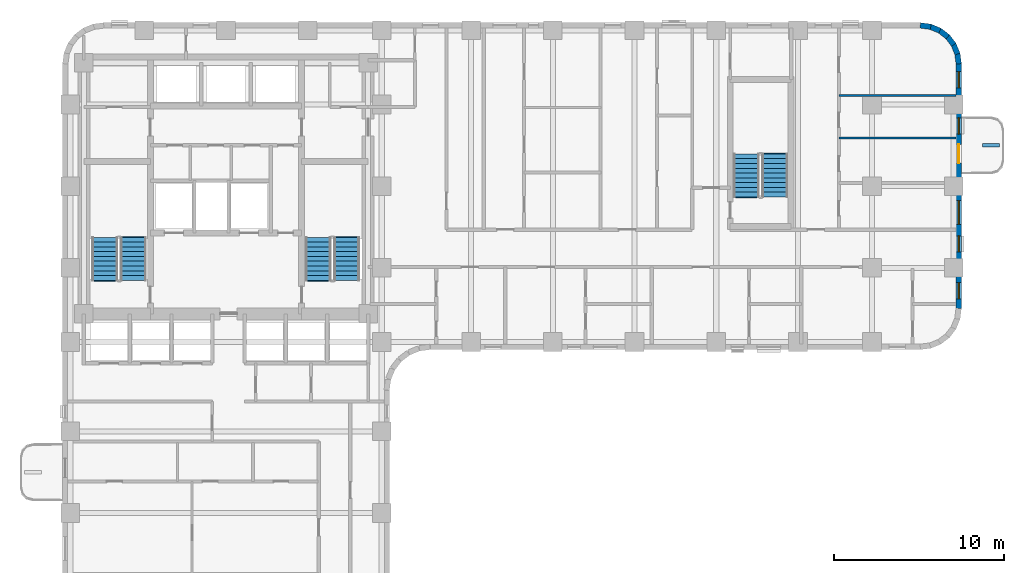
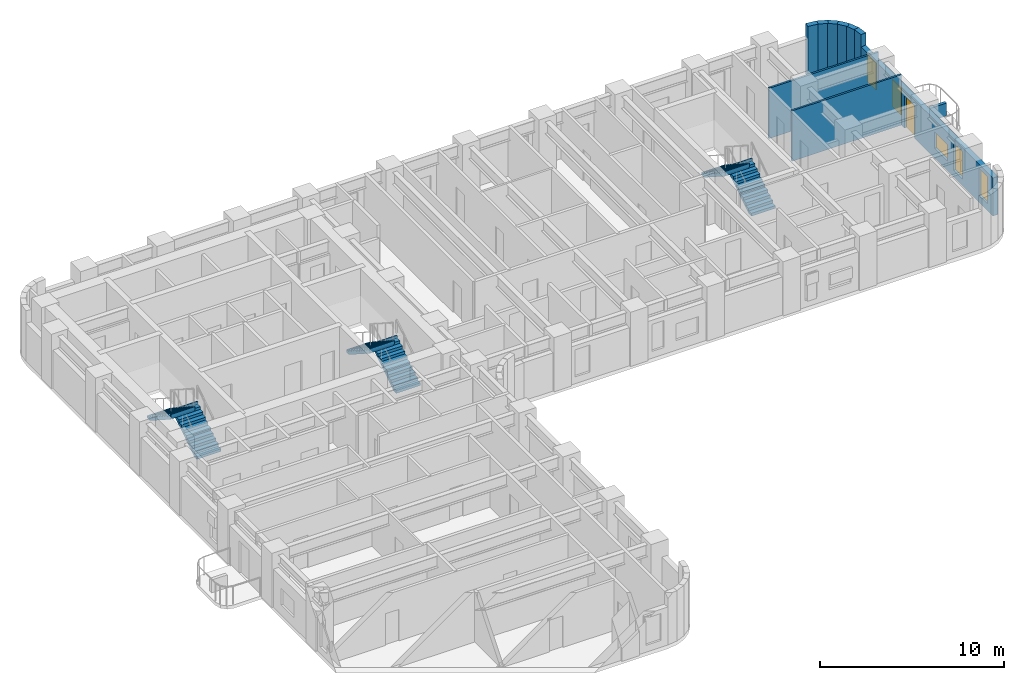
# One storey, part 8 of 11: 10 walls, 6 stair flights, 5 windows, 1 door, 6 openings, 3 elements without a shape of their own.
"""IFC4 building model written with IfcOpenShell, lengths in metres."""

from ifc_helpers import new_model, si_unit, direction, frame, frame_2d, origin, place, context, subcontext, project, spatial, polyline, rectangle, outline, extrude, material, layer, layer_set, type_object, element, fill, aggregate, save


model = new_model("IFC4")

# Units and contexts
model_context = context("Model", 3, precision=1e-05, world=origin(), true_north=direction((0.0, 1.0)))
body_context = subcontext(model_context, "Body", "Model", "MODEL_VIEW")
ifc_project = project(units=[si_unit("LENGTHUNIT", "METRE"), si_unit("AREAUNIT", "SQUARE_METRE"), si_unit("VOLUMEUNIT", "CUBIC_METRE"), si_unit("PLANEANGLEUNIT", "RADIAN"), si_unit("MASSUNIT", "GRAM", prefix="KILO")], contexts=[model_context])

# Site, building, storey
site_placement = place(None, origin())
site = spatial("IfcSite", under=ifc_project, at=site_placement, CompositionType="ELEMENT")
building_placement = place(site_placement, origin())
building = spatial("IfcBuilding", under=site, at=building_placement, Name="Orvandelia Arch Residences", CompositionType="ELEMENT")
storey_placement = place(building_placement, frame((0.0, 0.0, 79.0)))
storey = spatial("IfcBuildingStorey", under=building, at=storey_placement, Name="L20", CompositionType="ELEMENT", Elevation=79.0)

# Walls
ifc_material_1 = material(Name="Precast concrete C40/50", Category="concrete")
ifc_layer_1 = layer(ifc_material_1, 0.320068359375, Name="Precast concrete C40/50", Category="concrete")
ifc_layer_set_1 = layer_set([ifc_layer_1], Name="Precast concrete C40/50")
wall_type_1 = type_object("IfcWallType", Name="WL-EXT-STONE-320", PredefinedType="STANDARD", material=ifc_layer_set_1)
for number, where, z_axis, x_axis, name in (
    (1, (55.17919921875, 47.84130859375, 0.0), (0.0, 0.0, 1.0), (0.9914410257, -0.130555323746, 0.0), "Coral-Limestone Precast Facade Wall L20-008"),
    (2, (55.760009765625, 47.7705078125, 0.0), (0.0, 0.0, 1.0), (0.92389335771, -0.382650053678, 0.0), "Coral-Limestone Precast Facade Wall L20-009"),
):
    element("IfcWall", number, at=place(storey_placement, frame(where, z_axis=z_axis, x_axis=x_axis)), inside=storey, type_object=wall_type_1, Name=name, PredefinedType="STANDARD", context=body_context, shape_type="SweptSolid", body=[
        extrude(rectangle(XDim=0.62646484375, YDim=0.320068359375, at=frame_2d((0.313232421875, 0.0))), origin(), (0.0, 0.0, 1.0), 3.35009765625),
    ])
wall_1_placement = place(storey_placement, frame((56.302490234375, 47.551513671875, 0.0), z_axis=(0.0, 0.0, 1.0), x_axis=(0.793549926411, -0.608505147302, 0.0)))
element("IfcWall", 3, at=wall_1_placement, inside=storey, type_object=wall_type_1, Name="Coral-Limestone Precast Facade Wall L20-010", PredefinedType="STANDARD", context=body_context, shape_type="SweptSolid", body=[
    extrude(rectangle(XDim=0.626708984375, YDim=0.320068359375, at=frame_2d((0.3134765625, 0.0))), origin(), (0.0, 0.0, 1.0), 3.35009765625),
])
for number, where, z_axis, x_axis, name in (
    (4, (56.770263671875, 47.19970703125, 0.0), (0.0, 0.0, 1.0), (0.608693302629, -0.793405610854, 0.0), "Coral-Limestone Precast Facade Wall L20-011"),
    (5, (57.130615234375, 46.73876953125, 0.0), (0.0, 0.0, 1.0), (0.382650053678, -0.92389335771, 0.0), "Coral-Limestone Precast Facade Wall L20-012"),
    (6, (57.359619140625, 46.2001953125, 0.0), (0.0, 0.0, 1.0), (0.130555323746, -0.9914410257, 0.0), "Coral-Limestone Precast Facade Wall L20-013"),
):
    element("IfcWall", number, at=place(storey_placement, frame(where, z_axis=z_axis, x_axis=x_axis)), inside=storey, type_object=wall_type_1, Name=name, PredefinedType="STANDARD", context=body_context, shape_type="SweptSolid", body=[
        extrude(rectangle(XDim=0.62646484375, YDim=0.320068359375, at=frame_2d((0.313232421875, 0.0))), origin(), (0.0, 0.0, 1.0), 3.35009765625),
    ])

# Wall, openings, door, windows
wall_2_placement = place(storey_placement, frame((57.43994140625, 45.60009765625, 0.0), z_axis=(0.0, 0.0, 1.0), x_axis=(0.0, -1.0, 0.0)))
wall_2 = element("IfcWall", 7, at=wall_2_placement, inside=storey, type_object=wall_type_1, Name="Coral-Limestone Precast Facade Wall L20-014", PredefinedType="STANDARD", context=body_context, shape_type="SweptSolid", body=[
    extrude(rectangle(XDim=14.400146484375, YDim=0.320068359375, at=frame_2d((7.2001953125, 0.0))), origin(), (0.0, 0.0, 1.0), 2.530029296875),
])
opening_1_placement = place(wall_2_placement, frame((4.75, 0.0, 0.0)))
opening_1 = element("IfcOpeningElement", 8, at=opening_1_placement, cuts=wall_2, Name="Opening BD1", PredefinedType="OPENING", context=body_context, shape_type="SweptSolid", body=[
    extrude(rectangle(XDim=1.10009765625, YDim=2.14990234375, at=frame_2d((0.550048828125, 1.074951171875))), frame((0.0, 0.169921875, 0.0), z_axis=(0.0, -1.0, 0.0), x_axis=(1.0, 0.0, 0.0)), (0.0, 0.0, 1.0), 0.340087890625),
])
opening_2_placement = place(wall_2_placement, frame((0.469970703125, 0.0, 0.449951171875)))
opening_2 = element("IfcOpeningElement", 9, at=opening_2_placement, cuts=wall_2, Name="Opening W4", PredefinedType="OPENING", context=body_context, shape_type="SweptSolid", body=[
    extrude(rectangle(XDim=0.949951171875, YDim=1.800048828125, at=frame_2d((0.47509765625, 0.89990234375))), frame((0.0, 0.169921875, 0.0), z_axis=(0.0, -1.0, 0.0), x_axis=(1.0, 0.0, 0.0)), (0.0, 0.0, 1.0), 0.340087890625),
])
opening_3_placement = place(wall_2_placement, frame((10.114990234375, 0.0, 0.449951171875)))
opening_3 = element("IfcOpeningElement", 10, at=opening_3_placement, cuts=wall_2, Name="Opening W4", PredefinedType="OPENING", context=body_context, shape_type="SweptSolid", body=[
    extrude(rectangle(XDim=0.949951171875, YDim=1.800048828125, at=frame_2d((0.47509765625, 0.89990234375))), frame((0.0, 0.169921875, 0.0), z_axis=(0.0, -1.0, 0.0), x_axis=(1.0, 0.0, 0.0)), (0.0, 0.0, 1.0), 0.340087890625),
])
opening_4_placement = place(wall_2_placement, frame((12.867431640625, 0.0, 0.449951171875)))
opening_4 = element("IfcOpeningElement", 11, at=opening_4_placement, cuts=wall_2, Name="Opening W4", PredefinedType="OPENING", context=body_context, shape_type="SweptSolid", body=[
    extrude(rectangle(XDim=0.949951171875, YDim=1.800048828125, at=frame_2d((0.47509765625, 0.89990234375))), frame((0.0, 0.169921875, 0.0), z_axis=(0.0, -1.0, 0.0), x_axis=(1.0, 0.0, 0.0)), (0.0, 0.0, 1.0), 0.340087890625),
])
opening_5_placement = place(wall_2_placement, frame((8.050048828125, 0.0, 0.64990234375)))
opening_5 = element("IfcOpeningElement", 12, at=opening_5_placement, cuts=wall_2, Name="Opening W10", PredefinedType="OPENING", context=body_context, shape_type="SweptSolid", body=[
    extrude(rectangle(XDim=1.39990234375, YDim=1.10009765625, at=frame_2d((0.699951171875, 0.550048828125))), frame((0.0, 0.169921875, 0.0), z_axis=(0.0, -1.0, 0.0), x_axis=(1.0, 0.0, 0.0)), (0.0, 0.0, 1.0), 0.340087890625),
])
opening_6_placement = place(wall_2_placement, frame((3.193603515625, 0.0, 0.449951171875)))
opening_6 = element("IfcOpeningElement", 13, at=opening_6_placement, cuts=wall_2, Name="Opening W4", PredefinedType="OPENING", context=body_context, shape_type="SweptSolid", body=[
    extrude(rectangle(XDim=0.949951171875, YDim=1.800048828125, at=frame_2d((0.47509765625, 0.89990234375))), frame((0.0, 0.169921875, 0.0), z_axis=(0.0, -1.0, 0.0), x_axis=(1.0, 0.0, 0.0)), (0.0, 0.0, 1.0), 0.340087890625),
])
ifc_material_2 = material(Name="Thermally Broken Aluminium Glazed Door", Category="aluminium")
door_type = type_object("IfcDoorType", Name="DR-BAL-GLAZ-1100", OperationType="NOTDEFINED", PredefinedType="DOOR", material=ifc_material_2)
door_placement = place(opening_1_placement, origin())
door = element("IfcDoor", 14, at=door_placement, inside=storey, type_object=door_type, Name="Tree Balcony Glazed Door BAL-L20-E1", OperationType="SINGLE_SWING_LEFT", OverallHeight=2.14990234375, OverallWidth=1.10009765625, PredefinedType="DOOR", context=body_context, shape_type="SweptSolid", body=[
    extrude(rectangle(XDim=1.10009765625, YDim=2.14990234375, at=frame_2d((0.550048828125, 1.074951171875))), frame((0.0, 0.02490234375, 0.0), z_axis=(0.0, -1.0, 0.0), x_axis=(1.0, 0.0, 0.0)), (0.0, 0.0, 1.0), 0.050048828125),
])
fill(opening_1, door)
ifc_material_3 = material(Name="Tempered Low-E Insulated Glazing", Category="glass")
window_type_1 = type_object("IfcWindowType", Name="WIN-CLR-1400x1100", PartitioningType="SINGLE_PANEL", PredefinedType="WINDOW", material=ifc_material_3)
window_1_placement = place(opening_5_placement, origin())
window_1 = element("IfcWindow", 15, at=window_1_placement, inside=storey, type_object=window_type_1, Name="Recessed Punched Window L20-014", OverallHeight=1.10009765625, OverallWidth=1.39990234375, PartitioningType="SINGLE_PANEL", PredefinedType="WINDOW", context=body_context, shape_type="SweptSolid", body=[
    extrude(rectangle(XDim=1.39990234375, YDim=1.10009765625, at=frame_2d((0.699951171875, 0.550048828125))), frame((0.0, 0.030029296875, 0.0), z_axis=(0.0, -1.0, 0.0), x_axis=(1.0, 0.0, 0.0)), (0.0, 0.0, 1.0), 0.06005859375),
])
fill(opening_5, window_1)
window_type_2 = type_object("IfcWindowType", Name="WIN-RES-0950x1800", PartitioningType="SINGLE_PANEL", PredefinedType="WINDOW", material=ifc_material_3)
window_2_placement = place(opening_2_placement, origin())
window_2 = element("IfcWindow", 16, at=window_2_placement, inside=storey, type_object=window_type_2, Name="Recessed Punched Window L20-011", OverallHeight=1.800048828125, OverallWidth=0.949951171875, PartitioningType="SINGLE_PANEL", PredefinedType="WINDOW", context=body_context, shape_type="SweptSolid", body=[
    extrude(rectangle(XDim=0.949951171875, YDim=1.800048828125, at=frame_2d((0.47509765625, 0.89990234375))), frame((0.0, 0.030029296875, 0.0), z_axis=(0.0, -1.0, 0.0), x_axis=(1.0, 0.0, 0.0)), (0.0, 0.0, 1.0), 0.06005859375),
])
fill(opening_2, window_2)
window_3_placement = place(opening_3_placement, origin())
window_3 = element("IfcWindow", 17, at=window_3_placement, inside=storey, type_object=window_type_2, Name="Recessed Punched Window L20-012", OverallHeight=1.800048828125, OverallWidth=0.949951171875, PartitioningType="SINGLE_PANEL", PredefinedType="WINDOW", context=body_context, shape_type="SweptSolid", body=[
    extrude(rectangle(XDim=0.949951171875, YDim=1.800048828125, at=frame_2d((0.47509765625, 0.89990234375))), frame((0.0, 0.030029296875, 0.0), z_axis=(0.0, -1.0, 0.0), x_axis=(1.0, 0.0, 0.0)), (0.0, 0.0, 1.0), 0.06005859375),
])
fill(opening_3, window_3)
window_4_placement = place(opening_4_placement, origin())
window_4 = element("IfcWindow", 18, at=window_4_placement, inside=storey, type_object=window_type_2, Name="Recessed Punched Window L20-013", OverallHeight=1.800048828125, OverallWidth=0.949951171875, PartitioningType="SINGLE_PANEL", PredefinedType="WINDOW", context=body_context, shape_type="SweptSolid", body=[
    extrude(rectangle(XDim=0.949951171875, YDim=1.800048828125, at=frame_2d((0.47509765625, 0.89990234375))), frame((0.0, 0.030029296875, 0.0), z_axis=(0.0, -1.0, 0.0), x_axis=(1.0, 0.0, 0.0)), (0.0, 0.0, 1.0), 0.06005859375),
])
fill(opening_4, window_4)
window_5_placement = place(opening_6_placement, origin())
window_5 = element("IfcWindow", 19, at=window_5_placement, inside=storey, type_object=window_type_2, Name="Recessed Punched Window L20-015", OverallHeight=1.800048828125, OverallWidth=0.949951171875, PartitioningType="SINGLE_PANEL", PredefinedType="WINDOW", context=body_context, shape_type="SweptSolid", body=[
    extrude(rectangle(XDim=0.949951171875, YDim=1.800048828125, at=frame_2d((0.47509765625, 0.89990234375))), frame((0.0, 0.030029296875, 0.0), z_axis=(0.0, -1.0, 0.0), x_axis=(1.0, 0.0, 0.0)), (0.0, 0.0, 1.0), 0.06005859375),
])
fill(opening_6, window_5)

# Walls
ifc_material_4 = material(Name="Lightweight Gypsum Stud Partition")
ifc_layer_2 = layer(ifc_material_4, 0.1201171875, Name="Lightweight Gypsum Stud Partition")
ifc_layer_set_2 = layer_set([ifc_layer_2], Name="Lightweight Gypsum Stud Partition")
wall_type_2 = type_object("IfcWallType", Name="WL-PART-120", PredefinedType="PARTITIONING", material=ifc_layer_set_2)
for number, where, z_axis, x_axis, name in (
    (20, (50.39697265625, 41.23291015625, 0.0), (0.0, 0.0, 1.0), (1.0, 0.0, 0.0), "Interior Partition Wall WL-L20-U10-H1B"),
    (21, (50.39697265625, 43.718994140625, 0.0), (0.0, 0.0, 1.0), (1.0, 0.0, 0.0), "Interior Partition Wall WL-L20-U10-H2"),
):
    element("IfcWall", number, at=place(storey_placement, frame(where, z_axis=z_axis, x_axis=x_axis)), inside=storey, type_object=wall_type_2, Name=name, PredefinedType="PARTITIONING", context=body_context, shape_type="SweptSolid", body=[
        extrude(rectangle(XDim=6.883056640625, YDim=0.1201171875, at=frame_2d((3.44140625, 0.0))), origin(), (0.0, 0.0, 1.0), 3.35009765625),
    ])
ifc_layer_3 = layer(ifc_material_1, 0.199951171875, Name="Precast concrete C40/50", Category="concrete")
ifc_layer_set_3 = layer_set([ifc_layer_3], Name="Precast concrete C40/50")
wall_type_3 = type_object("IfcWallType", Name="WL-PLANTER-200", PredefinedType="MOVABLE", material=ifc_layer_set_3)
wall_3_placement = place(storey_placement, frame((58.85009765625, 40.800048828125, 0.0), z_axis=(0.0, 0.0, 1.0), x_axis=(1.0, 0.0, 0.0)))
element("IfcWall", 22, at=wall_3_placement, inside=storey, type_object=wall_type_3, Name="Balcony Precast Tree Planter BAL-L20-E1", PredefinedType="MOVABLE", context=body_context, shape_type="SweptSolid", body=[
    extrude(rectangle(XDim=1.0, YDim=0.199951171875, at=frame_2d((0.5, 0.0))), origin(), (0.0, 0.0, 1.0), 0.85009765625),
])

# Stair, stair flights
ifc_material_5 = material(Name="Concrete C40/50", Category="concrete")
stair_type = type_object("IfcStairType", Name="STAIR-RC-DOGLEG", PredefinedType="HALF_TURN_STAIR", material=ifc_material_5)
stair_1_placement = place(storey_placement, origin())
stair_1 = element("IfcStair", 23, at=stair_1_placement, inside=storey, type_object=stair_type, Name="L20 Protected Exit Stair ST-1", PredefinedType="HALF_TURN_STAIR")
stair_flight_type = type_object("IfcStairFlightType", Name="STFLT-RC-1520", PredefinedType="STRAIGHT", material=ifc_material_5)
stair_flight_1_placement = place(storey_placement, frame((8.9599609375, 32.8701171875, 0.0), z_axis=(0.0, 0.0, 1.0), x_axis=(0.0, 1.0, 0.0)))
stair_flight_1 = element("IfcStairFlight", 24, at=stair_flight_1_placement, type_object=stair_flight_type, Name="ST-1 flight 1", NumberOfRisers=10, NumberOfTreads=9, PredefinedType="STRAIGHT", RiserHeight=0.18, TreadLength=0.28, context=body_context, shape_type="SweptSolid", body=[
    extrude(outline(polyline([(0.0, 0.0), (0.0, 0.179931640625), (0.280029296875, 0.179931640625), (0.280029296875, 0.360107421875), (0.56005859375, 0.360107421875), (0.56005859375, 0.5400390625), (0.840087890625, 0.5400390625), (0.840087890625, 0.719970703125), (1.1201171875, 0.719970703125), (1.1201171875, 0.89990234375), (1.39990234375, 0.89990234375), (1.39990234375, 1.080078125), (1.679931640625, 1.080078125), (1.679931640625, 1.260009765625), (1.9599609375, 1.260009765625), (1.9599609375, 1.43994140625), (2.239990234375, 1.43994140625), (2.239990234375, 1.6201171875), (2.52001953125, 1.6201171875), (2.52001953125, 1.800048828125), (2.580078125, 1.800048828125), (2.580078125, 1.6201171875), (2.52001953125, 1.44189453125), (0.277099609375, 0.0), (0.0, 0.0)])), frame((0.0, 0.760009765625, 0.0), z_axis=(0.0, -1.0, 0.0), x_axis=(1.0, 0.0, 0.0)), (0.0, 0.0, 1.0), 1.52001953125),
])
stair_flight_2_placement = place(storey_placement, frame((7.2900390625, 35.389892578125, 1.800048828125), z_axis=(0.0, 0.0, 1.0), x_axis=(0.0, -1.0, 0.0)))
stair_flight_2 = element("IfcStairFlight", 25, at=stair_flight_2_placement, type_object=stair_flight_type, Name="ST-1 flight 2", NumberOfRisers=10, NumberOfTreads=9, PredefinedType="STRAIGHT", RiserHeight=0.18, TreadLength=0.28, context=body_context, shape_type="SweptSolid", body=[
    extrude(outline(polyline([(0.0, 0.0), (0.0, 0.179931640625), (0.280029296875, 0.179931640625), (0.280029296875, 0.360107421875), (0.56005859375, 0.360107421875), (0.56005859375, 0.5400390625), (0.840087890625, 0.5400390625), (0.840087890625, 0.719970703125), (1.1201171875, 0.719970703125), (1.1201171875, 0.89990234375), (1.39990234375, 0.89990234375), (1.39990234375, 1.080078125), (1.679931640625, 1.080078125), (1.679931640625, 1.260009765625), (1.9599609375, 1.260009765625), (1.9599609375, 1.43994140625), (2.239990234375, 1.43994140625), (2.239990234375, 1.6201171875), (2.52001953125, 1.6201171875), (2.52001953125, 1.800048828125), (2.580078125, 1.800048828125), (2.580078125, 1.6201171875), (2.52001953125, 1.44189453125), (0.277099609375, 0.0), (0.0, 0.0)])), frame((0.0, 0.760009765625, 0.0), z_axis=(0.0, -1.0, 0.0), x_axis=(1.0, 0.0, 0.0)), (0.0, 0.0, 1.0), 1.52001953125),
])
aggregate(stair_1, [stair_flight_1, stair_flight_2])

stair_2_placement = place(storey_placement, origin())
stair_2 = element("IfcStair", 26, at=stair_2_placement, inside=storey, type_object=stair_type, Name="L20 Protected Exit Stair ST-2", PredefinedType="HALF_TURN_STAIR")
stair_flight_3_placement = place(storey_placement, frame((21.489990234375, 32.8701171875, 0.0), z_axis=(0.0, 0.0, 1.0), x_axis=(0.0, 1.0, 0.0)))
stair_flight_3 = element("IfcStairFlight", 27, at=stair_flight_3_placement, type_object=stair_flight_type, Name="ST-2 flight 1", NumberOfRisers=10, NumberOfTreads=9, PredefinedType="STRAIGHT", RiserHeight=0.18, TreadLength=0.28, context=body_context, shape_type="SweptSolid", body=[
    extrude(outline(polyline([(0.0, 0.0), (0.0, 0.179931640625), (0.280029296875, 0.179931640625), (0.280029296875, 0.360107421875), (0.56005859375, 0.360107421875), (0.56005859375, 0.5400390625), (0.840087890625, 0.5400390625), (0.840087890625, 0.719970703125), (1.1201171875, 0.719970703125), (1.1201171875, 0.89990234375), (1.39990234375, 0.89990234375), (1.39990234375, 1.080078125), (1.679931640625, 1.080078125), (1.679931640625, 1.260009765625), (1.9599609375, 1.260009765625), (1.9599609375, 1.43994140625), (2.239990234375, 1.43994140625), (2.239990234375, 1.6201171875), (2.52001953125, 1.6201171875), (2.52001953125, 1.800048828125), (2.580078125, 1.800048828125), (2.580078125, 1.6201171875), (2.52001953125, 1.44189453125), (0.277099609375, 0.0), (0.0, 0.0)])), frame((0.0, 0.760009765625, 0.0), z_axis=(0.0, -1.0, 0.0), x_axis=(1.0, 0.0, 0.0)), (0.0, 0.0, 1.0), 1.52001953125),
])
stair_flight_4_placement = place(storey_placement, frame((19.820068359375, 35.389892578125, 1.800048828125), z_axis=(0.0, 0.0, 1.0), x_axis=(0.0, -1.0, 0.0)))
stair_flight_4 = element("IfcStairFlight", 28, at=stair_flight_4_placement, type_object=stair_flight_type, Name="ST-2 flight 2", NumberOfRisers=10, NumberOfTreads=9, PredefinedType="STRAIGHT", RiserHeight=0.18, TreadLength=0.28, context=body_context, shape_type="SweptSolid", body=[
    extrude(outline(polyline([(0.0, 0.0), (0.0, 0.179931640625), (0.280029296875, 0.179931640625), (0.280029296875, 0.360107421875), (0.56005859375, 0.360107421875), (0.56005859375, 0.5400390625), (0.840087890625, 0.5400390625), (0.840087890625, 0.719970703125), (1.1201171875, 0.719970703125), (1.1201171875, 0.89990234375), (1.39990234375, 0.89990234375), (1.39990234375, 1.080078125), (1.679931640625, 1.080078125), (1.679931640625, 1.260009765625), (1.9599609375, 1.260009765625), (1.9599609375, 1.43994140625), (2.239990234375, 1.43994140625), (2.239990234375, 1.6201171875), (2.52001953125, 1.6201171875), (2.52001953125, 1.800048828125), (2.580078125, 1.800048828125), (2.580078125, 1.6201171875), (2.52001953125, 1.44189453125), (0.277099609375, 0.0), (0.0, 0.0)])), frame((0.0, 0.760009765625, 0.0), z_axis=(0.0, -1.0, 0.0), x_axis=(1.0, 0.0, 0.0)), (0.0, 0.0, 1.0), 1.52001953125),
])
aggregate(stair_2, [stair_flight_3, stair_flight_4])

stair_3_placement = place(storey_placement, origin())
stair_3 = element("IfcStair", 29, at=stair_3_placement, inside=storey, type_object=stair_type, Name="L20 East Wing Exit Stair ST-3", PredefinedType="HALF_TURN_STAIR")
stair_flight_5_placement = place(storey_placement, frame((46.639892578125, 37.77001953125, 0.0), z_axis=(0.0, 0.0, 1.0), x_axis=(0.0, 1.0, 0.0)))
stair_flight_5 = element("IfcStairFlight", 30, at=stair_flight_5_placement, type_object=stair_flight_type, Name="ST-3 flight 1", NumberOfRisers=10, NumberOfTreads=9, PredefinedType="STRAIGHT", RiserHeight=0.18, TreadLength=0.28, context=body_context, shape_type="SweptSolid", body=[
    extrude(outline(polyline([(0.0, 0.0), (0.0, 0.179931640625), (0.280029296875, 0.179931640625), (0.280029296875, 0.360107421875), (0.56005859375, 0.360107421875), (0.56005859375, 0.5400390625), (0.840087890625, 0.5400390625), (0.840087890625, 0.719970703125), (1.1201171875, 0.719970703125), (1.1201171875, 0.89990234375), (1.39990234375, 0.89990234375), (1.39990234375, 1.080078125), (1.679931640625, 1.080078125), (1.679931640625, 1.260009765625), (1.9599609375, 1.260009765625), (1.9599609375, 1.43994140625), (2.239990234375, 1.43994140625), (2.239990234375, 1.6201171875), (2.52001953125, 1.6201171875), (2.52001953125, 1.800048828125), (2.580078125, 1.800048828125), (2.580078125, 1.6201171875), (2.52001953125, 1.44189453125), (0.277099609375, 0.0), (0.0, 0.0)])), frame((0.0, 0.760009765625, 0.0), z_axis=(0.0, -1.0, 0.0), x_axis=(1.0, 0.0, 0.0)), (0.0, 0.0, 1.0), 1.52001953125),
])
stair_flight_6_placement = place(storey_placement, frame((44.969970703125, 40.2900390625, 1.800048828125), z_axis=(0.0, 0.0, 1.0), x_axis=(0.0, -1.0, 0.0)))
stair_flight_6 = element("IfcStairFlight", 31, at=stair_flight_6_placement, type_object=stair_flight_type, Name="ST-3 flight 2", NumberOfRisers=10, NumberOfTreads=9, PredefinedType="STRAIGHT", RiserHeight=0.18, TreadLength=0.28, context=body_context, shape_type="SweptSolid", body=[
    extrude(outline(polyline([(0.0, 0.0), (0.0, 0.179931640625), (0.280029296875, 0.179931640625), (0.280029296875, 0.360107421875), (0.56005859375, 0.360107421875), (0.56005859375, 0.5400390625), (0.840087890625, 0.5400390625), (0.840087890625, 0.719970703125), (1.1201171875, 0.719970703125), (1.1201171875, 0.89990234375), (1.39990234375, 0.89990234375), (1.39990234375, 1.080078125), (1.679931640625, 1.080078125), (1.679931640625, 1.260009765625), (1.9599609375, 1.260009765625), (1.9599609375, 1.43994140625), (2.239990234375, 1.43994140625), (2.239990234375, 1.6201171875), (2.52001953125, 1.6201171875), (2.52001953125, 1.800048828125), (2.580078125, 1.800048828125), (2.580078125, 1.6201171875), (2.52001953125, 1.44189453125), (0.277099609375, 0.0), (0.0, 0.0)])), frame((0.0, 0.760009765625, 0.0), z_axis=(0.0, -1.0, 0.0), x_axis=(1.0, 0.0, 0.0)), (0.0, 0.0, 1.0), 1.52001953125),
])
aggregate(stair_3, [stair_flight_5, stair_flight_6])

save(model, "model.ifc")
